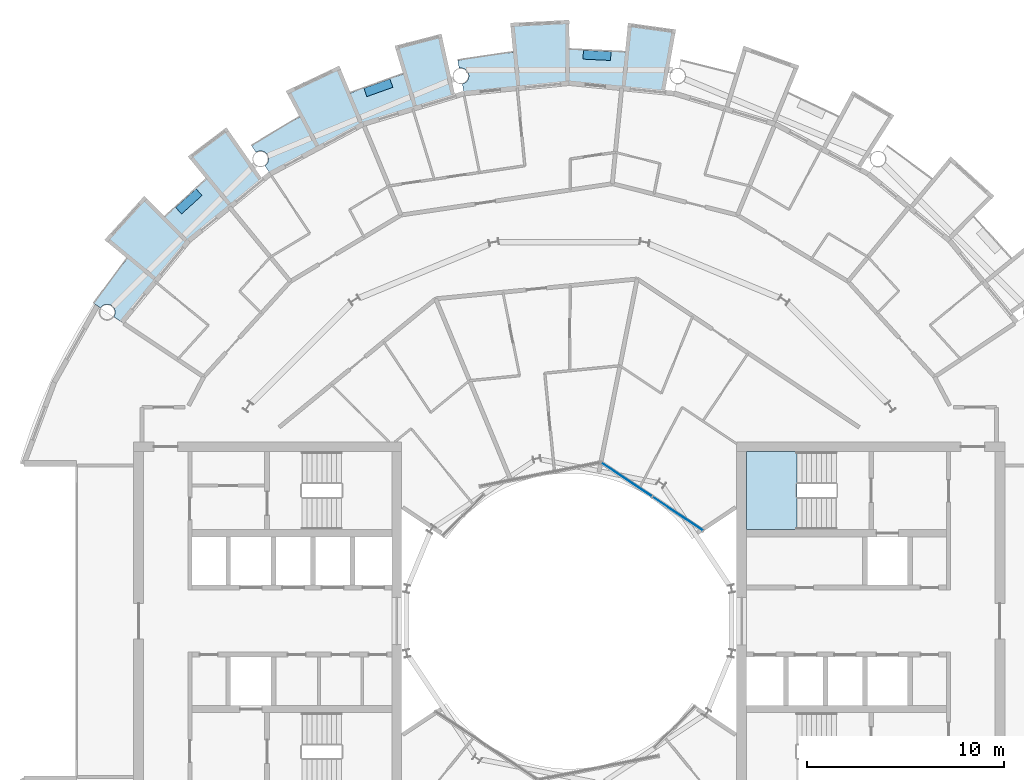
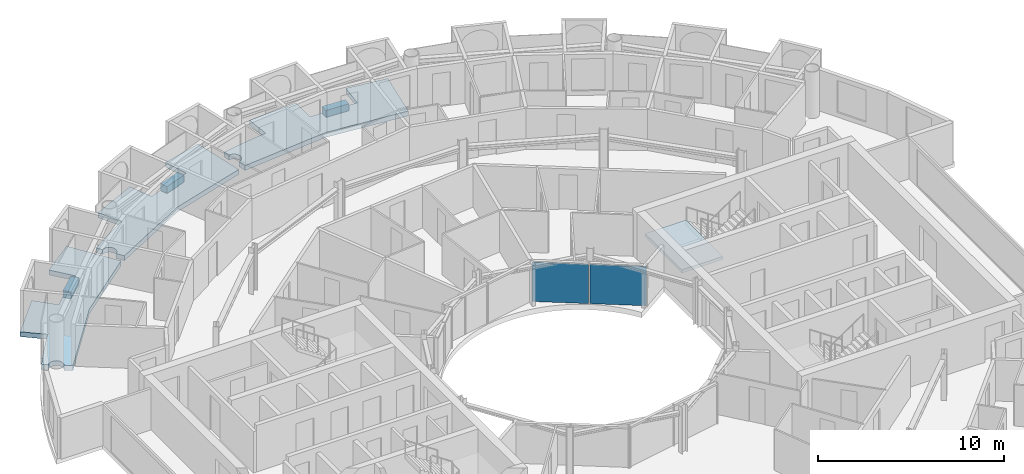
# One storey, part 12 of 27: 7 slabs, 2 plates, 2 elements without a shape of their own.
"""IFC4 building model written with IfcOpenShell, lengths in metres."""

from ifc_helpers import new_model, si_unit, direction, frame, origin, origin_2d, place, context, subcontext, project, spatial, polyline, rectangle, outline, extrude, material, layer, layer_set, type_object, element, aggregate, save


model = new_model("IFC4")

# Units and contexts
model_context = context("Model", 3, precision=1e-05, world=origin(), true_north=direction((0.0, 1.0)))
body_context = subcontext(model_context, "Body", "Model", "MODEL_VIEW")
ifc_project = project(units=[si_unit("LENGTHUNIT", "METRE"), si_unit("AREAUNIT", "SQUARE_METRE"), si_unit("VOLUMEUNIT", "CUBIC_METRE"), si_unit("PLANEANGLEUNIT", "RADIAN"), si_unit("MASSUNIT", "GRAM", prefix="KILO")], contexts=[model_context])

# Site, building, storey
site_placement = place(None, origin())
site = spatial("IfcSite", under=ifc_project, at=site_placement, CompositionType="ELEMENT")
building_placement = place(site_placement, origin())
building = spatial("IfcBuilding", under=site, at=building_placement, Name="Maasbend Ring Residences", CompositionType="ELEMENT")
storey_placement = place(building_placement, frame((0.0, 0.0, 148.25)))
storey = spatial("IfcBuildingStorey", under=building, at=storey_placement, Name="L42", CompositionType="ELEMENT", Elevation=148.25)

# Stair, slab
ifc_material_1 = material(Name="Concrete C40/50", Category="concrete")
stair_type = type_object("IfcStairType", Name="CORE STAIR 18 RISERS", PredefinedType="HALF_TURN_STAIR", material=ifc_material_1)
stair_placement = place(storey_placement, origin())
stair = element("IfcStair", 1, at=stair_placement, inside=storey, type_object=stair_type, Name="L42 Exit stair ST-E1", PredefinedType="HALF_TURN_STAIR")
ifc_material_2 = material(Name="Concrete C40/50", Category="concrete")
ifc_layer_1 = layer(ifc_material_2, 0.199951171875)
ifc_layer_set_1 = layer_set([ifc_layer_1], Name="Concrete C40/50")
slab_type_1 = type_object("IfcSlabType", Name="CORE STAIR LANDING 200", PredefinedType="LANDING", material=ifc_layer_set_1)
slab_1_placement = place(storey_placement, frame((0.0, 0.0, 1.324951171875)))
slab_1 = element("IfcSlab", 2, at=slab_1_placement, type_object=slab_type_1, Name="ST-E1 landing 1", PredefinedType="LANDING", context=body_context, shape_type="SweptSolid", body=[
    extrude(outline(polyline([(11.550048828125, 8.60009765625), (9.0, 8.60009765625), (9.0, 4.64990234375), (11.550048828125, 4.64990234375), (11.550048828125, 8.60009765625)])), origin(), (0.0, 0.0, 1.0), 0.199951171875),
])
aggregate(stair, [slab_1])

# Curtain wall, plates
ifc_material_3 = material(Name="Aluminium and clear glass", Category="aluminium")
ifc_layer_2 = layer(ifc_material_3, 0.179931640625)
ifc_layer_set_2 = layer_set([ifc_layer_2], Name="CW-W")
curtain_wall_type = type_object("IfcCurtainWallType", Name="CW-W", PredefinedType="NOTDEFINED", material=ifc_layer_set_2)
curtain_wall_placement = place(storey_placement, origin())
curtain_wall = element("IfcCurtainWall", 3, at=curtain_wall_placement, inside=storey, type_object=curtain_wall_type, Name="Well curtain wall N1", PredefinedType="NOTDEFINED")
ifc_material_4 = material(Name="Glass clear laminated", Category="glass")
ifc_layer_3 = layer(ifc_material_4, 0.031982421875)
ifc_layer_set_3 = layer_set([ifc_layer_3], Name="CWP-W")
plate_type = type_object("IfcPlateType", Name="CWP-W", PredefinedType="CURTAIN_PANEL", material=ifc_layer_set_3)
plate_1_placement = place(storey_placement, frame((5.51123046875, 5.44580078125, 0.0), z_axis=(0.0, 0.0, 1.0), x_axis=(-0.831469612303, 0.55557023302, 0.0)))
plate_1 = element("IfcPlate", 4, at=plate_1_placement, type_object=plate_type, Name="Glass panel well face", PredefinedType="CURTAIN_PANEL", context=body_context, shape_type="SweptSolid", body=[
    extrude(rectangle(XDim=3.053955078125, YDim=0.031982421875, at=origin_2d()), origin(), (0.0, 0.0, 1.0), 2.580078125),
])
plate_2_placement = place(storey_placement, frame((2.922119140625, 7.17578125, 0.0), z_axis=(0.0, 0.0, 1.0), x_axis=(-0.831469612303, 0.55557023302, 0.0)))
plate_2 = element("IfcPlate", 5, at=plate_2_placement, type_object=plate_type, Name="Glass panel well face", PredefinedType="CURTAIN_PANEL", context=body_context, shape_type="SweptSolid", body=[
    extrude(rectangle(XDim=3.053955078125, YDim=0.031982421875, at=origin_2d()), origin(), (0.0, 0.0, 1.0), 2.580078125),
])
aggregate(curtain_wall, [plate_1, plate_2])

# Slabs
ifc_material_5 = material(Name="Planting with climbing greenery")
ifc_layer_4 = layer(ifc_material_5, 0.449951171875)
ifc_layer_set_4 = layer_set([ifc_layer_4], Name="PLANTER-LG")
slab_type_2 = type_object("IfcSlabType", Name="PLANTER-LG", PredefinedType="USERDEFINED", material=ifc_layer_set_4)
slab_2_placement = place(storey_placement, frame((0.0, 0.0, -0.030029296875)))
element("IfcSlab", 6, at=slab_2_placement, inside=storey, type_object=slab_type_2, Name="Planter with climbing greenery 3", ObjectType="PLANTER", PredefinedType="USERDEFINED", context=body_context, shape_type="SweptSolid", body=[
    extrude(outline(polyline([(2.1201171875, 28.89599609375), (0.721923828125, 28.965087890625), (0.699951171875, 28.514892578125), (2.097900390625, 28.446044921875), (2.1201171875, 28.89599609375)])), origin(), (0.0, 0.0, 1.0), 0.449951171875),
])
slab_3_placement = place(storey_placement, frame((0.0, 0.0, -0.030029296875)))
element("IfcSlab", 7, at=slab_3_placement, inside=storey, type_object=slab_type_2, Name="Planter with climbing greenery 4", ObjectType="PLANTER", PredefinedType="USERDEFINED", context=body_context, shape_type="SweptSolid", body=[
    extrude(outline(polyline([(-9.09912109375, 27.508056640625), (-10.4169921875, 27.035888671875), (-10.26611328125, 26.612060546875), (-8.947021484375, 27.083984375), (-9.09912109375, 27.508056640625)])), origin(), (0.0, 0.0, 1.0), 0.449951171875),
])
slab_4_placement = place(storey_placement, frame((0.0, 0.0, -0.030029296875)))
element("IfcSlab", 8, at=slab_4_placement, inside=storey, type_object=slab_type_2, Name="Planter with climbing greenery 5", ObjectType="PLANTER", PredefinedType="USERDEFINED", context=body_context, shape_type="SweptSolid", body=[
    extrude(outline(polyline([(-18.93310546875, 21.931884765625), (-19.969970703125, 20.991943359375), (-19.66796875, 20.657958984375), (-18.631103515625, 21.597900390625), (-18.93310546875, 21.931884765625)])), origin(), (0.0, 0.0, 1.0), 0.449951171875),
])
ifc_material_6 = material(Name="Concrete C40/50", Category="concrete")
ifc_layer_5 = layer(ifc_material_6, 0.199951171875)
ifc_layer_set_5 = layer_set([ifc_layer_5], Name="Concrete C40/50")
slab_type_3 = type_object("IfcSlabType", Name="SL-LOGGIA", PredefinedType="FLOOR", material=ifc_layer_set_5)
slab_5_placement = place(storey_placement, frame((0.0, 0.0, -0.35009765625)))
element("IfcSlab", 9, at=slab_5_placement, inside=storey, type_object=slab_type_3, Name="Loggia floor 1", PredefinedType="FLOOR", context=body_context, shape_type="SweptSolid", body=[
    extrude(outline(polyline([(-14.5, 25.114990234375), (-13.6708984375, 25.574951171875), (-13.6708984375, 25.575927734375), (-13.6708984375, 25.575927734375), (-13.6708984375, 25.575927734375), (-13.6708984375, 25.575927734375), (-13.6708984375, 25.575927734375), (-13.6708984375, 25.575927734375), (-13.6708984375, 25.575927734375), (-13.6708984375, 25.575927734375), (-13.6708984375, 25.575927734375), (-13.6708984375, 25.575927734375), (-13.6708984375, 25.575927734375), (-13.6708984375, 25.575927734375), (-13.6708984375, 25.575927734375), (-13.6708984375, 25.575927734375), (-13.6708984375, 25.575927734375), (-13.6708984375, 25.575927734375), (-14.3779296875, 26.89892578125), (-14.3779296875, 26.89892578125), (-14.3779296875, 26.89892578125), (-11.672119140625, 28.177978515625), (-11.672119140625, 28.177978515625), (-11.672119140625, 28.177978515625), (-11.097900390625, 26.79296875), (-11.097900390625, 26.79296875), (-11.097900390625, 26.79296875), (-11.097900390625, 26.79296875), (-11.097900390625, 26.79296875), (-11.097900390625, 26.79296875), (-11.097900390625, 26.79296875), (-11.097900390625, 26.79296875), (-11.097900390625, 26.79296875), (-11.097900390625, 26.79296875), (-11.097900390625, 26.79296875), (-11.097900390625, 26.79296875), (-11.097900390625, 26.79296875), (-11.097900390625, 26.79296875), (-11.096923828125, 26.79296875), (-11.096923828125, 26.79296875), (-11.096923828125, 26.79296875), (-10.215087890625, 27.14111328125), (-10.215087890625, 27.14111328125), (-9.322021484375, 27.4609375), (-9.322021484375, 27.4609375), (-8.4189453125, 27.7509765625), (-8.4189453125, 27.7509765625), (-8.4189453125, 27.7509765625), (-8.4189453125, 27.7509765625), (-8.4189453125, 27.7509765625), (-8.4189453125, 27.7509765625), (-8.41796875, 27.7509765625), (-8.41796875, 27.7509765625), (-8.41796875, 27.7509765625), (-8.41796875, 27.7509765625), (-8.41796875, 27.7509765625), (-8.41796875, 27.751953125), (-8.41796875, 27.751953125), (-8.41796875, 27.751953125), (-8.41796875, 27.751953125), (-8.41796875, 27.751953125), (-8.41796875, 27.751953125), (-8.85400390625, 29.18701171875), (-8.85400390625, 29.18701171875), (-8.85400390625, 29.18701171875), (-6.487060546875, 29.802001953125), (-6.487060546875, 29.802001953125), (-6.487060546875, 29.802001953125), (-5.797119140625, 26.633056640625), (-5.797119140625, 26.633056640625), (-5.797119140625, 26.633056640625), (-7.886962890625, 25.9990234375), (-10.447021484375, 25.221923828125), (-10.447021484375, 25.221923828125), (-10.447021484375, 25.221923828125), (-12.806884765625, 23.9609375), (-15.1669921875, 22.698974609375), (-15.1669921875, 22.698974609375), (-15.1669921875, 22.698974609375), (-15.44091796875, 23.10888671875), (-15.43310546875, 23.114990234375), (-15.425048828125, 23.12109375), (-15.4169921875, 23.126953125), (-15.408935546875, 23.133056640625), (-15.402099609375, 23.139892578125), (-15.39404296875, 23.14599609375), (-15.386962890625, 23.153076171875), (-15.3798828125, 23.159912109375), (-15.373046875, 23.1669921875), (-15.365966796875, 23.174072265625), (-15.35888671875, 23.181884765625), (-15.35302734375, 23.18994140625), (-15.346923828125, 23.197021484375), (-15.341064453125, 23.205078125), (-15.3349609375, 23.212890625), (-15.3291015625, 23.221923828125), (-15.323974609375, 23.22998046875), (-15.318115234375, 23.238037109375), (-15.31298828125, 23.2470703125), (-15.30908203125, 23.256103515625), (-15.303955078125, 23.264892578125), (-15.300048828125, 23.27392578125), (-15.294921875, 23.282958984375), (-15.2919921875, 23.2919921875), (-15.2880859375, 23.301025390625), (-15.283935546875, 23.31005859375), (-15.281005859375, 23.320068359375), (-15.278076171875, 23.3291015625), (-15.27490234375, 23.339111328125), (-15.27294921875, 23.34912109375), (-15.27001953125, 23.35791015625), (-15.26806640625, 23.367919921875), (-15.26708984375, 23.3779296875), (-15.264892578125, 23.387939453125), (-15.263916015625, 23.39794921875), (-15.262939453125, 23.407958984375), (-15.261962890625, 23.4169921875), (-15.260986328125, 23.427001953125), (-15.260986328125, 23.43701171875), (-15.260986328125, 23.447021484375), (-15.260986328125, 23.45703125), (-15.260986328125, 23.467041015625), (-15.261962890625, 23.47705078125), (-15.262939453125, 23.487060546875), (-15.263916015625, 23.4970703125), (-15.264892578125, 23.507080078125), (-15.26708984375, 23.51708984375), (-15.26806640625, 23.527099609375), (-15.27001953125, 23.535888671875), (-15.27294921875, 23.5458984375), (-15.27490234375, 23.555908203125), (-15.278076171875, 23.56494140625), (-15.281005859375, 23.574951171875), (-15.283935546875, 23.583984375), (-15.2880859375, 23.593994140625), (-15.2919921875, 23.60302734375), (-15.294921875, 23.612060546875), (-15.300048828125, 23.62109375), (-15.303955078125, 23.6298828125), (-15.30908203125, 23.638916015625), (-15.31298828125, 23.64794921875), (-15.318115234375, 23.656005859375), (-15.323974609375, 23.6650390625), (-15.3291015625, 23.673095703125), (-15.3349609375, 23.680908203125), (-15.341064453125, 23.68994140625), (-15.346923828125, 23.697021484375), (-15.35302734375, 23.705078125), (-15.35888671875, 23.712890625), (-15.365966796875, 23.719970703125), (-15.373046875, 23.72802734375), (-15.3798828125, 23.735107421875), (-15.386962890625, 23.741943359375), (-15.39404296875, 23.7490234375), (-15.402099609375, 23.7548828125), (-15.408935546875, 23.761962890625), (-15.4169921875, 23.76806640625), (-15.425048828125, 23.77392578125), (-15.43310546875, 23.780029296875), (-15.44091796875, 23.784912109375), (-15.449951171875, 23.791015625), (-15.4580078125, 23.7958984375), (-15.467041015625, 23.801025390625), (-15.47509765625, 23.805908203125), (-15.48388671875, 23.81005859375), (-15.492919921875, 23.81494140625), (-15.501953125, 23.819091796875), (-15.511962890625, 23.822998046875), (-15.52099609375, 23.826904296875), (-15.530029296875, 23.830078125), (-15.5400390625, 23.8330078125), (-15.549072265625, 23.8359375), (-15.55908203125, 23.839111328125), (-15.568115234375, 23.842041015625), (-15.577880859375, 23.843994140625), (-15.587890625, 23.845947265625), (-15.597900390625, 23.847900390625), (-15.60693359375, 23.85009765625), (-15.616943359375, 23.85107421875), (-15.626953125, 23.85205078125), (-15.636962890625, 23.85302734375), (-15.64697265625, 23.85302734375), (-15.656982421875, 23.85400390625), (-15.6669921875, 23.85400390625), (-15.677001953125, 23.85400390625), (-15.68701171875, 23.85302734375), (-15.697021484375, 23.85302734375), (-15.70703125, 23.85205078125), (-15.717041015625, 23.85107421875), (-15.72705078125, 23.85009765625), (-15.737060546875, 23.847900390625), (-15.74609375, 23.845947265625), (-15.756103515625, 23.843994140625), (-15.76611328125, 23.842041015625), (-15.77587890625, 23.839111328125), (-15.784912109375, 23.8359375), (-15.794921875, 23.8330078125), (-15.803955078125, 23.830078125), (-15.81298828125, 23.826904296875), (-15.822998046875, 23.822998046875), (-15.83203125, 23.819091796875), (-15.841064453125, 23.81494140625), (-15.85009765625, 23.81005859375), (-15.85888671875, 23.805908203125), (-15.866943359375, 23.801025390625), (-15.8759765625, 23.7958984375), (-15.885009765625, 23.791015625), (-15.89306640625, 23.784912109375), (-16.112060546875, 24.113037109375), (-16.112060546875, 24.113037109375), (-16.112060546875, 24.113037109375), (-15.31396484375, 24.626953125), (-15.31396484375, 24.626953125), (-14.5, 25.114990234375), (-14.5, 25.114990234375)])), origin(), (0.0, 0.0, 1.0), 0.320068359375),
])
slab_6_placement = place(storey_placement, frame((0.0, 0.0, -0.35009765625)))
element("IfcSlab", 10, at=slab_6_placement, inside=storey, type_object=slab_type_3, Name="Loggia floor 3", PredefinedType="FLOOR", context=body_context, shape_type="SweptSolid", body=[
    extrude(outline(polyline([(-3.784912109375, 28.751953125), (-2.843017578125, 28.860107421875), (-2.843017578125, 28.860107421875), (-2.843017578125, 28.860107421875), (-2.843017578125, 28.860107421875), (-2.843017578125, 28.860107421875), (-2.843017578125, 28.860107421875), (-2.843017578125, 28.860107421875), (-2.843017578125, 28.860107421875), (-2.843017578125, 28.860107421875), (-2.843017578125, 28.861083984375), (-2.843017578125, 28.861083984375), (-2.843017578125, 28.861083984375), (-2.843017578125, 28.861083984375), (-2.843017578125, 28.861083984375), (-2.843017578125, 28.861083984375), (-2.843017578125, 28.861083984375), (-2.843017578125, 28.861083984375), (-2.989990234375, 30.35302734375), (-2.989990234375, 30.35302734375), (-2.989990234375, 30.35302734375), (0.0, 30.5), (0.0, 30.5), (0.0, 30.5), (0.0, 29.0), (0.0, 29.0), (0.0, 29.0), (0.0, 29.0), (0.0, 29.0), (0.0, 29.0), (0.0, 29.0), (0.0, 29.0), (0.0, 29.0), (0.0, 29.0), (0.0, 29.0), (0.0, 29.0), (0.0, 29.0), (0.0, 29.0), (0.0, 29.0), (0.0, 29.0), (0.0, 29.0), (0.948974609375, 28.98388671875), (0.948974609375, 28.98388671875), (1.89697265625, 28.93798828125), (1.89697265625, 28.93798828125), (2.842041015625, 28.860107421875), (2.842041015625, 28.860107421875), (2.842041015625, 28.860107421875), (2.842041015625, 28.860107421875), (2.842041015625, 28.860107421875), (2.842041015625, 28.860107421875), (2.842041015625, 28.860107421875), (2.842041015625, 28.860107421875), (2.842041015625, 28.861083984375), (2.842041015625, 28.861083984375), (2.842041015625, 28.861083984375), (2.842041015625, 28.861083984375), (2.842041015625, 28.861083984375), (2.843017578125, 28.861083984375), (2.843017578125, 28.861083984375), (2.843017578125, 28.861083984375), (2.843017578125, 28.861083984375), (2.989990234375, 30.35302734375), (2.989990234375, 30.35302734375), (2.989990234375, 30.35302734375), (5.412109375, 30.01611328125), (5.412109375, 30.01611328125), (5.412109375, 30.01611328125), (4.8359375, 26.823974609375), (4.8359375, 26.823974609375), (4.8359375, 26.823974609375), (2.6630859375, 27.0380859375), (0.0, 27.300048828125), (0.0, 27.300048828125), (0.0, 27.300048828125), (-2.6630859375, 27.0380859375), (-5.325927734375, 26.77490234375), (-5.325927734375, 26.77490234375), (-5.325927734375, 26.77490234375), (-5.422119140625, 27.259033203125), (-5.422119140625, 27.259033203125), (-5.412109375, 27.260986328125), (-5.403076171875, 27.263916015625), (-5.39306640625, 27.26611328125), (-5.383056640625, 27.26904296875), (-5.3740234375, 27.27197265625), (-5.364990234375, 27.27490234375), (-5.35498046875, 27.279052734375), (-5.345947265625, 27.282958984375), (-5.3369140625, 27.285888671875), (-5.327880859375, 27.291015625), (-5.319091796875, 27.294921875), (-5.31005859375, 27.300048828125), (-5.301025390625, 27.303955078125), (-5.29296875, 27.30908203125), (-5.283935546875, 27.31494140625), (-5.27587890625, 27.320068359375), (-5.26708984375, 27.325927734375), (-5.259033203125, 27.33203125), (-5.2509765625, 27.337890625), (-5.243896484375, 27.343994140625), (-5.236083984375, 27.35009765625), (-5.22900390625, 27.35693359375), (-5.220947265625, 27.364013671875), (-5.214111328125, 27.37109375), (-5.20703125, 27.3779296875), (-5.199951171875, 27.385009765625), (-5.194091796875, 27.39306640625), (-5.18701171875, 27.39990234375), (-5.180908203125, 27.407958984375), (-5.175048828125, 27.416015625), (-5.1689453125, 27.424072265625), (-5.1640625, 27.431884765625), (-5.157958984375, 27.44091796875), (-5.153076171875, 27.448974609375), (-5.14794921875, 27.4580078125), (-5.14306640625, 27.466064453125), (-5.137939453125, 27.47509765625), (-5.134033203125, 27.48388671875), (-5.1298828125, 27.492919921875), (-5.1259765625, 27.5029296875), (-5.1220703125, 27.511962890625), (-5.118896484375, 27.52099609375), (-5.115966796875, 27.531005859375), (-5.113037109375, 27.5400390625), (-5.110107421875, 27.550048828125), (-5.10693359375, 27.55908203125), (-5.10498046875, 27.569091796875), (-5.10302734375, 27.5791015625), (-5.10107421875, 27.589111328125), (-5.09912109375, 27.597900390625), (-5.097900390625, 27.60791015625), (-5.096923828125, 27.617919921875), (-5.095947265625, 27.6279296875), (-5.094970703125, 27.637939453125), (-5.094970703125, 27.64794921875), (-5.094970703125, 27.657958984375), (-5.094970703125, 27.66796875), (-5.094970703125, 27.677978515625), (-5.095947265625, 27.68798828125), (-5.096923828125, 27.697998046875), (-5.097900390625, 27.7080078125), (-5.09912109375, 27.718017578125), (-5.10107421875, 27.72802734375), (-5.10302734375, 27.737060546875), (-5.10498046875, 27.7470703125), (-5.10693359375, 27.757080078125), (-5.110107421875, 27.76708984375), (-5.113037109375, 27.77587890625), (-5.115966796875, 27.785888671875), (-5.118896484375, 27.794921875), (-5.1220703125, 27.803955078125), (-5.1259765625, 27.81396484375), (-5.1298828125, 27.822998046875), (-5.134033203125, 27.83203125), (-5.137939453125, 27.841064453125), (-5.14306640625, 27.85009765625), (-5.14794921875, 27.85791015625), (-5.153076171875, 27.866943359375), (-5.157958984375, 27.8759765625), (-5.1640625, 27.884033203125), (-5.1689453125, 27.89208984375), (-5.175048828125, 27.89990234375), (-5.180908203125, 27.907958984375), (-5.18701171875, 27.916015625), (-5.194091796875, 27.924072265625), (-5.199951171875, 27.930908203125), (-5.20703125, 27.93798828125), (-5.214111328125, 27.946044921875), (-5.220947265625, 27.952880859375), (-5.22900390625, 27.958984375), (-5.236083984375, 27.966064453125), (-5.243896484375, 27.971923828125), (-5.2509765625, 27.97900390625), (-5.259033203125, 27.985107421875), (-5.26708984375, 27.989990234375), (-5.27587890625, 27.99609375), (-5.283935546875, 28.001953125), (-5.29296875, 28.007080078125), (-5.301025390625, 28.011962890625), (-5.31005859375, 28.01708984375), (-5.319091796875, 28.02099609375), (-5.327880859375, 28.02587890625), (-5.3369140625, 28.030029296875), (-5.345947265625, 28.033935546875), (-5.35498046875, 28.037109375), (-5.364990234375, 28.041015625), (-5.3740234375, 28.0439453125), (-5.383056640625, 28.047119140625), (-5.39306640625, 28.050048828125), (-5.403076171875, 28.052001953125), (-5.412109375, 28.054931640625), (-5.422119140625, 28.056884765625), (-5.431884765625, 28.05908203125), (-5.44189453125, 28.06005859375), (-5.451904296875, 28.06201171875), (-5.4619140625, 28.06298828125), (-5.471923828125, 28.06298828125), (-5.48193359375, 28.06396484375), (-5.491943359375, 28.06396484375), (-5.501953125, 28.06494140625), (-5.510986328125, 28.06396484375), (-5.52099609375, 28.06396484375), (-5.531005859375, 28.06298828125), (-5.541015625, 28.06298828125), (-5.551025390625, 28.06201171875), (-5.56103515625, 28.06005859375), (-5.571044921875, 28.05908203125), (-5.5810546875, 28.056884765625), (-5.5810546875, 28.056884765625), (-5.657958984375, 28.443115234375), (-5.657958984375, 28.443115234375), (-5.657958984375, 28.443115234375), (-4.72412109375, 28.613037109375), (-4.72412109375, 28.613037109375), (-3.784912109375, 28.751953125), (-3.784912109375, 28.751953125)])), origin(), (0.0, 0.0, 1.0), 0.320068359375),
])
slab_7_placement = place(storey_placement, frame((0.0, 0.0, -0.35009765625)))
element("IfcSlab", 11, at=slab_7_placement, inside=storey, type_object=slab_type_3, Name="Loggia floor 4", PredefinedType="FLOOR", context=body_context, shape_type="SweptSolid", body=[
    extrude(outline(polyline([(-23.007080078125, 17.654052734375), (-22.41796875, 18.39697265625), (-22.41796875, 18.39697265625), (-22.41796875, 18.39697265625), (-22.41796875, 18.39697265625), (-22.41796875, 18.39697265625), (-22.41796875, 18.39697265625), (-22.41796875, 18.39697265625), (-22.41796875, 18.39697265625), (-22.41796875, 18.39697265625), (-22.41796875, 18.39697265625), (-22.41796875, 18.39697265625), (-22.41796875, 18.39794921875), (-22.41796875, 18.39794921875), (-22.41796875, 18.39794921875), (-22.41796875, 18.39794921875), (-22.41796875, 18.39794921875), (-22.41796875, 18.39794921875), (-23.576904296875, 19.34912109375), (-23.576904296875, 19.34912109375), (-23.576904296875, 19.34912109375), (-21.56689453125, 21.56689453125), (-21.56689453125, 21.56689453125), (-21.56689453125, 21.56689453125), (-20.506103515625, 20.506103515625), (-20.506103515625, 20.506103515625), (-20.506103515625, 20.506103515625), (-20.506103515625, 20.506103515625), (-20.506103515625, 20.506103515625), (-20.506103515625, 20.506103515625), (-20.506103515625, 20.506103515625), (-20.506103515625, 20.506103515625), (-20.506103515625, 20.506103515625), (-20.506103515625, 20.506103515625), (-20.506103515625, 20.506103515625), (-20.506103515625, 20.506103515625), (-20.506103515625, 20.506103515625), (-20.506103515625, 20.506103515625), (-20.506103515625, 20.506103515625), (-20.506103515625, 20.506103515625), (-20.506103515625, 20.506103515625), (-19.823974609375, 21.166015625), (-19.823974609375, 21.166015625), (-19.12109375, 21.802978515625), (-19.12109375, 21.802978515625), (-18.39794921875, 22.4169921875), (-18.39794921875, 22.4169921875), (-18.39794921875, 22.4169921875), (-18.39794921875, 22.4169921875), (-18.39794921875, 22.4169921875), (-18.39794921875, 22.4169921875), (-18.39794921875, 22.4169921875), (-18.39794921875, 22.4169921875), (-18.39794921875, 22.4169921875), (-18.39794921875, 22.4169921875), (-18.39794921875, 22.4169921875), (-18.39794921875, 22.4169921875), (-18.39794921875, 22.41796875), (-18.39794921875, 22.41796875), (-18.39794921875, 22.41796875), (-18.39794921875, 22.41796875), (-18.39794921875, 22.41796875), (-19.34912109375, 23.576904296875), (-19.34912109375, 23.576904296875), (-19.34912109375, 23.576904296875), (-17.39794921875, 25.051025390625), (-17.39794921875, 25.051025390625), (-17.39794921875, 25.051025390625), (-15.547119140625, 22.386962890625), (-15.547119140625, 22.386962890625), (-15.547119140625, 22.386962890625), (-17.236083984375, 21.001953125), (-19.303955078125, 19.303955078125), (-19.303955078125, 19.303955078125), (-19.303955078125, 19.303955078125), (-21.001953125, 17.236083984375), (-22.698974609375, 15.1669921875), (-22.698974609375, 15.1669921875), (-22.698974609375, 15.1669921875), (-23.10888671875, 15.44091796875), (-23.10888671875, 15.44091796875), (-23.10400390625, 15.449951171875), (-23.09912109375, 15.4580078125), (-23.093994140625, 15.467041015625), (-23.089111328125, 15.47509765625), (-23.083984375, 15.48388671875), (-23.080078125, 15.492919921875), (-23.075927734375, 15.501953125), (-23.072021484375, 15.511962890625), (-23.068115234375, 15.52099609375), (-23.06494140625, 15.530029296875), (-23.06103515625, 15.5400390625), (-23.05810546875, 15.549072265625), (-23.055908203125, 15.55908203125), (-23.052978515625, 15.568115234375), (-23.051025390625, 15.577880859375), (-23.049072265625, 15.587890625), (-23.047119140625, 15.597900390625), (-23.044921875, 15.60693359375), (-23.0439453125, 15.616943359375), (-23.04296875, 15.626953125), (-23.0419921875, 15.636962890625), (-23.041015625, 15.64697265625), (-23.041015625, 15.656982421875), (-23.041015625, 15.6669921875), (-23.041015625, 15.677001953125), (-23.041015625, 15.68701171875), (-23.0419921875, 15.697021484375), (-23.04296875, 15.70703125), (-23.0439453125, 15.717041015625), (-23.044921875, 15.72705078125), (-23.047119140625, 15.737060546875), (-23.049072265625, 15.74609375), (-23.051025390625, 15.756103515625), (-23.052978515625, 15.76611328125), (-23.055908203125, 15.77587890625), (-23.05810546875, 15.784912109375), (-23.06103515625, 15.794921875), (-23.06494140625, 15.803955078125), (-23.068115234375, 15.81298828125), (-23.072021484375, 15.822998046875), (-23.075927734375, 15.83203125), (-23.080078125, 15.841064453125), (-23.083984375, 15.85009765625), (-23.089111328125, 15.85888671875), (-23.093994140625, 15.866943359375), (-23.09912109375, 15.8759765625), (-23.10400390625, 15.885009765625), (-23.10888671875, 15.89306640625), (-23.114990234375, 15.90087890625), (-23.12109375, 15.908935546875), (-23.126953125, 15.9169921875), (-23.133056640625, 15.925048828125), (-23.139892578125, 15.93310546875), (-23.14599609375, 15.93994140625), (-23.153076171875, 15.947021484375), (-23.159912109375, 15.955078125), (-23.1669921875, 15.9619140625), (-23.174072265625, 15.968017578125), (-23.181884765625, 15.97509765625), (-23.18994140625, 15.98095703125), (-23.197021484375, 15.988037109375), (-23.205078125, 15.993896484375), (-23.212890625, 15.9990234375), (-23.221923828125, 16.0048828125), (-23.22998046875, 16.010986328125), (-23.238037109375, 16.01611328125), (-23.2470703125, 16.02099609375), (-23.256103515625, 16.02587890625), (-23.264892578125, 16.030029296875), (-23.27392578125, 16.034912109375), (-23.282958984375, 16.0390625), (-23.2919921875, 16.04296875), (-23.301025390625, 16.0458984375), (-23.31005859375, 16.050048828125), (-23.320068359375, 16.052978515625), (-23.3291015625, 16.055908203125), (-23.339111328125, 16.05908203125), (-23.34912109375, 16.06103515625), (-23.35791015625, 16.06396484375), (-23.367919921875, 16.06591796875), (-23.3779296875, 16.068115234375), (-23.387939453125, 16.069091796875), (-23.39794921875, 16.071044921875), (-23.407958984375, 16.072021484375), (-23.4169921875, 16.072021484375), (-23.427001953125, 16.072998046875), (-23.43701171875, 16.072998046875), (-23.447021484375, 16.073974609375), (-23.45703125, 16.072998046875), (-23.467041015625, 16.072998046875), (-23.47705078125, 16.072021484375), (-23.487060546875, 16.072021484375), (-23.4970703125, 16.071044921875), (-23.507080078125, 16.069091796875), (-23.51708984375, 16.068115234375), (-23.527099609375, 16.06591796875), (-23.535888671875, 16.06396484375), (-23.5458984375, 16.06103515625), (-23.555908203125, 16.05908203125), (-23.56494140625, 16.055908203125), (-23.574951171875, 16.052978515625), (-23.583984375, 16.050048828125), (-23.593994140625, 16.0458984375), (-23.60302734375, 16.04296875), (-23.612060546875, 16.0390625), (-23.62109375, 16.034912109375), (-23.6298828125, 16.030029296875), (-23.638916015625, 16.02587890625), (-23.64794921875, 16.02099609375), (-23.656005859375, 16.01611328125), (-23.6650390625, 16.010986328125), (-23.673095703125, 16.0048828125), (-23.680908203125, 15.9990234375), (-23.68994140625, 15.993896484375), (-23.697021484375, 15.988037109375), (-23.705078125, 15.98095703125), (-23.712890625, 15.97509765625), (-23.719970703125, 15.968017578125), (-23.72802734375, 15.9619140625), (-23.735107421875, 15.955078125), (-23.741943359375, 15.947021484375), (-23.7490234375, 15.93994140625), (-23.7548828125, 15.93310546875), (-23.761962890625, 15.925048828125), (-23.76806640625, 15.9169921875), (-23.77392578125, 15.908935546875), (-23.780029296875, 15.90087890625), (-23.784912109375, 15.89306640625), (-23.784912109375, 15.89306640625), (-24.113037109375, 16.112060546875), (-24.113037109375, 16.112060546875), (-24.113037109375, 16.112060546875), (-23.572998046875, 16.89208984375), (-23.572998046875, 16.89208984375), (-23.007080078125, 17.654052734375), (-23.007080078125, 17.654052734375)])), origin(), (0.0, 0.0, 1.0), 0.320068359375),
])

save(model, "model.ifc")
